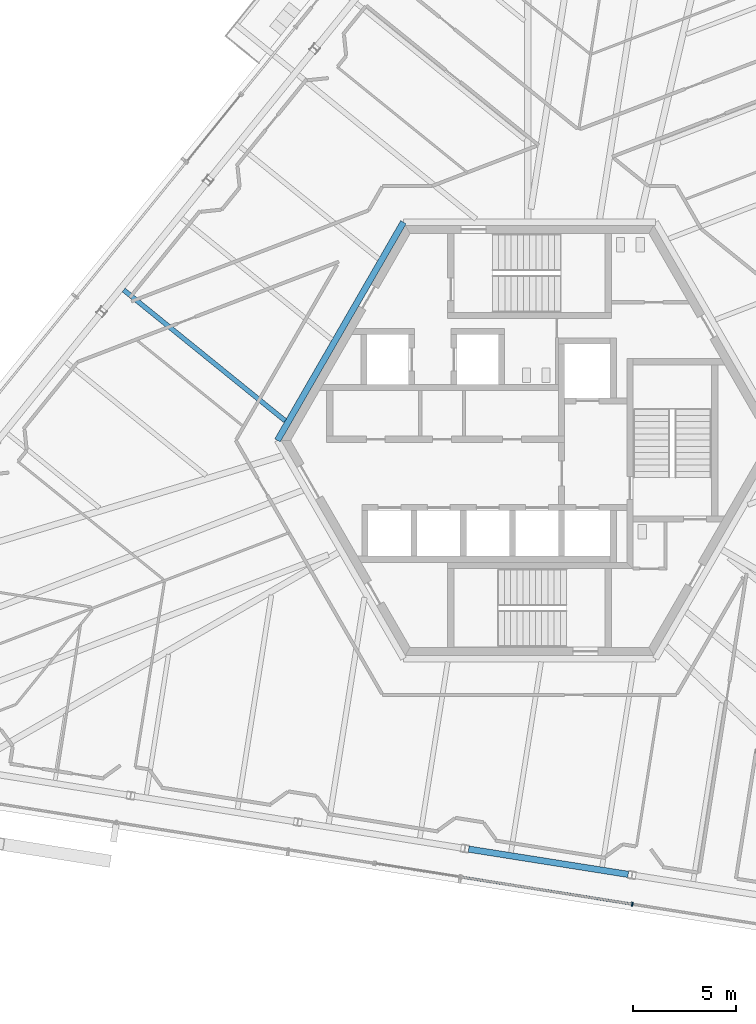
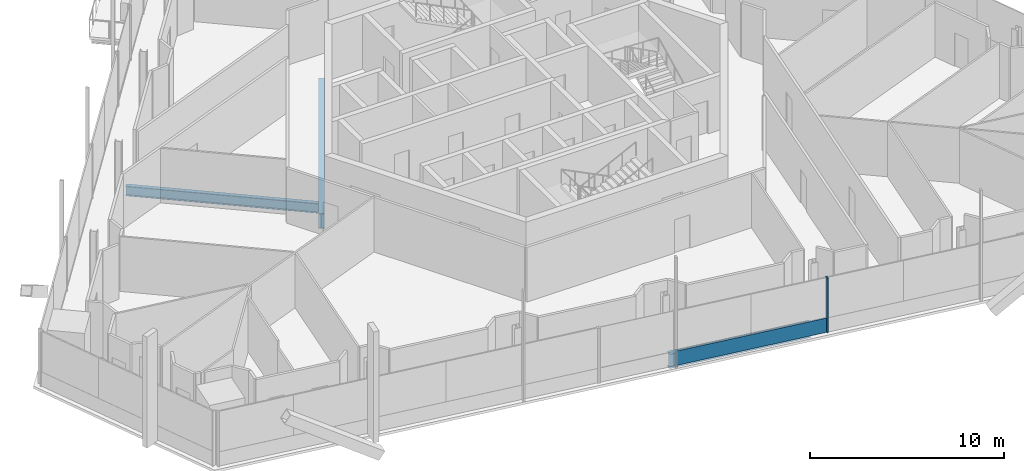
# One storey, part 5 of 23: 3 beams, 2 members, 1 element without a shape of its own.
"""IFC4 building model written with IfcOpenShell, lengths in metres."""

from ifc_helpers import new_model, si_unit, direction, frame, origin, origin_2d, place, context, subcontext, project, spatial, rectangle, i_section, extrude, source, transform, mapped, material, material_profile, profile_set, type_object, element, aggregate, save


model = new_model("IFC4")

# Units and contexts
model_context = context("Model", 3, precision=1e-05, world=origin(), true_north=direction((0.0, 1.0)))
body_context = subcontext(model_context, "Body", "Model", "MODEL_VIEW")
ifc_project = project(units=[si_unit("LENGTHUNIT", "METRE"), si_unit("AREAUNIT", "SQUARE_METRE"), si_unit("VOLUMEUNIT", "CUBIC_METRE"), si_unit("PLANEANGLEUNIT", "RADIAN"), si_unit("MASSUNIT", "GRAM", prefix="KILO")], contexts=[model_context])

# Site, building, storey
site_placement = place(None, origin())
site = spatial("IfcSite", under=ifc_project, at=site_placement, CompositionType="ELEMENT")
building_placement = place(site_placement, origin())
building = spatial("IfcBuilding", under=site, at=building_placement, Name="Triune Harvest Tower", CompositionType="ELEMENT")
storey_placement = place(building_placement, frame((0.0, 0.0, 167.699951171875)))
storey = spatial("IfcBuildingStorey", under=building, at=storey_placement, Name="L43", CompositionType="ELEMENT", Elevation=167.699951171875)

# Beams
ifc_material_1 = material(Name="Steel ASTM A992 Gr 50", Category="steel")
ifc_material_profile_1 = material_profile(ifc_material_1, i_section(OverallWidth=0.3046875, OverallDepth=0.914306640625, WebThickness=0.0166015625, FlangeThickness=0.02587890625, at=origin_2d()), Name="W36x160")
ifc_profile_set_1 = profile_set([ifc_material_profile_1], Name="Steel ASTM A992 Gr 50")
beam_type_1 = type_object("IfcBeamType", Name="CG-1 Core ring girder W36x160", PredefinedType="BEAM", material=ifc_profile_set_1)
shared_shape_1 = source(origin(), body_context, "Body", "SweptSolid", [
    extrude(i_section(OverallWidth=0.3046875, OverallDepth=0.914306640625, WebThickness=0.0166015625, FlangeThickness=0.02587890625, at=origin_2d()), origin(), (0.0, 0.0, 1.0), 12.176025390625),
])
beam_1_placement = place(storey_placement, frame((-6.087890625, 10.544677734375, -0.6171875), z_axis=(-0.5000099932, -0.866019634131, 0.0), x_axis=(0.866019634131, -0.5000099932, 0.0)))
element("IfcBeam", 1, at=beam_1_placement, inside=storey, type_object=beam_type_1, Name="beam/L43/CG3", PredefinedType="BEAM", context=body_context, shape_type="MappedRepresentation", body=[
    mapped(shared_shape_1, transform((0.0, 0.0, 0.0), scale=1.0)),
])
ifc_material_2 = material(Name="Steel ASTM A992 Gr 50", Category="steel")
ifc_material_profile_2 = material_profile(ifc_material_2, i_section(OverallWidth=0.3046875, OverallDepth=0.914306640625, WebThickness=0.0166015625, FlangeThickness=0.02587890625, at=origin_2d()), Name="W36x160")
ifc_profile_set_2 = profile_set([ifc_material_profile_2], Name="Steel ASTM A992 Gr 50")
beam_type_2 = type_object("IfcBeamType", Name="SB-1 Spandrel beam W36x160", PredefinedType="SPANDREL", material=ifc_profile_set_2)
shared_shape_2 = source(origin(), body_context, "Body", "SweptSolid", [
    extrude(i_section(OverallWidth=0.3046875, OverallDepth=0.914306640625, WebThickness=0.0166015625, FlangeThickness=0.02587890625, at=origin_2d()), origin(), (0.0, 0.0, 1.0), 7.80126953125),
])
beam_2_placement = place(storey_placement, frame((-2.938232421875, -19.745361328125, -0.6171875), z_axis=(0.987687234845, -0.15644144631, 0.0), x_axis=(0.15644144631, 0.987687234845, 0.0)))
element("IfcBeam", 2, at=beam_2_placement, inside=storey, type_object=beam_type_2, Name="beam/L43/SB20", PredefinedType="SPANDREL", context=body_context, shape_type="MappedRepresentation", body=[
    mapped(shared_shape_2, transform((0.0, 0.0, 0.0), scale=1.0)),
])
ifc_material_3 = material(Name="Steel ASTM A992 Gr 50", Category="steel")
ifc_material_profile_3 = material_profile(ifc_material_3, i_section(OverallWidth=0.22900390625, OverallDepth=0.612060546875, WebThickness=0.011962890625, FlangeThickness=0.01953125, at=origin_2d()), Name="W24x84")
ifc_profile_set_3 = profile_set([ifc_material_profile_3], Name="Steel ASTM A992 Gr 50")
beam_type_3 = type_object("IfcBeamType", Name="JT-3 Floor joist W24x84", PredefinedType="JOIST", material=ifc_profile_set_3)
shared_shape_3 = source(origin(), body_context, "Body", "SweptSolid", [
    extrude(i_section(OverallWidth=0.22900390625, OverallDepth=0.612060546875, WebThickness=0.011962890625, FlangeThickness=0.01953125, at=origin_2d()), origin(), (0.0, 0.0, 1.0), 10.0380859375),
])
beam_3_placement = place(storey_placement, frame((-19.60400390625, 7.268310546875, -0.466064453125), z_axis=(0.777146308943, -0.629319961941, 0.0), x_axis=(0.629319961941, 0.777146308943, 0.0)))
element("IfcBeam", 3, at=beam_3_placement, inside=storey, type_object=beam_type_3, Name="beam/L43/JT19", PredefinedType="JOIST", context=body_context, shape_type="MappedRepresentation", body=[
    mapped(shared_shape_3, transform((0.0, 0.0, 0.0), scale=1.0)),
])

# Curtain wall, members
ifc_material_4 = material(Name="Aluminium bronze anodised", Category="aluminium")
curtain_wall_type = type_object("IfcCurtainWallType", Name="CW-7 Tower stick curtain wall with insulated spandrel infill", PredefinedType="NOTDEFINED", material=ifc_material_4)
curtain_wall_placement = place(storey_placement, origin())
curtain_wall = element("IfcCurtainWall", 4, at=curtain_wall_placement, inside=storey, type_object=curtain_wall_type, Name="CW-7 B4-F5 L43 run 2001")
ifc_material_5 = material(Name="Aluminium bronze anodised", Category="aluminium")
ifc_material_profile_4 = material_profile(ifc_material_5, rectangle(XDim=0.199951171875, YDim=0.074951171875, at=origin_2d()), Name="MU-1 mullion 75 x 200")
ifc_profile_set_4 = profile_set([ifc_material_profile_4], Name="Aluminium bronze anodised")
member_type_1 = type_object("IfcMemberType", Name="MU-1 mullion 75 x 200", PredefinedType="MULLION", material=ifc_profile_set_4)
shared_shape_4 = source(origin(), body_context, "Body", "SweptSolid", [
    extrude(rectangle(XDim=0.199951171875, YDim=0.074951171875, at=origin_2d()), origin(), (0.0, 0.0, 1.0), 3.43994140625),
])
member_1_placement = place(storey_placement, frame((4.96875, -22.40380859375, 0.0), z_axis=(0.0, 0.0, 1.0), x_axis=(0.156434974453, 0.987688259912, 0.0)))
member_1 = element("IfcMember", 5, at=member_1_placement, type_object=member_type_1, Name="CW-7 mullion B4-F5 2001.3", PredefinedType="MULLION", context=body_context, shape_type="MappedRepresentation", body=[
    mapped(shared_shape_4, transform((0.0, 0.0, 0.0), scale=1.0)),
])
ifc_material_6 = material(Name="Aluminium bronze anodised", Category="aluminium")
ifc_material_profile_5 = material_profile(ifc_material_6, rectangle(XDim=0.090087890625, YDim=0.89990234375, at=origin_2d()), Name="TR-1 transom 90 x 900")
ifc_profile_set_5 = profile_set([ifc_material_profile_5], Name="Aluminium bronze anodised")
member_type_2 = type_object("IfcMemberType", Name="TR-1 transom 90 x 900", PredefinedType="USERDEFINED", material=ifc_profile_set_5)
shared_shape_5 = source(origin(), body_context, "Body", "SweptSolid", [
    extrude(rectangle(XDim=0.090087890625, YDim=0.89990234375, at=origin_2d()), origin(), (0.0, 0.0, 1.0), 8.2998046875),
])
member_2_placement = place(storey_placement, frame((-3.265869140625, -21.099609375, 0.449951171875), z_axis=(0.987688678524, -0.156432331429, 0.0), x_axis=(0.156432331429, 0.987688678524, 0.0)))
member_2 = element("IfcMember", 6, at=member_2_placement, type_object=member_type_2, Name="CW-7 transom B4-F5 2001.1", ObjectType="TRANSOM", PredefinedType="USERDEFINED", context=body_context, shape_type="MappedRepresentation", body=[
    mapped(shared_shape_5, transform((0.0, 0.0, 0.0), scale=1.0)),
])
aggregate(curtain_wall, [member_1, member_2])

save(model, "model.ifc")
